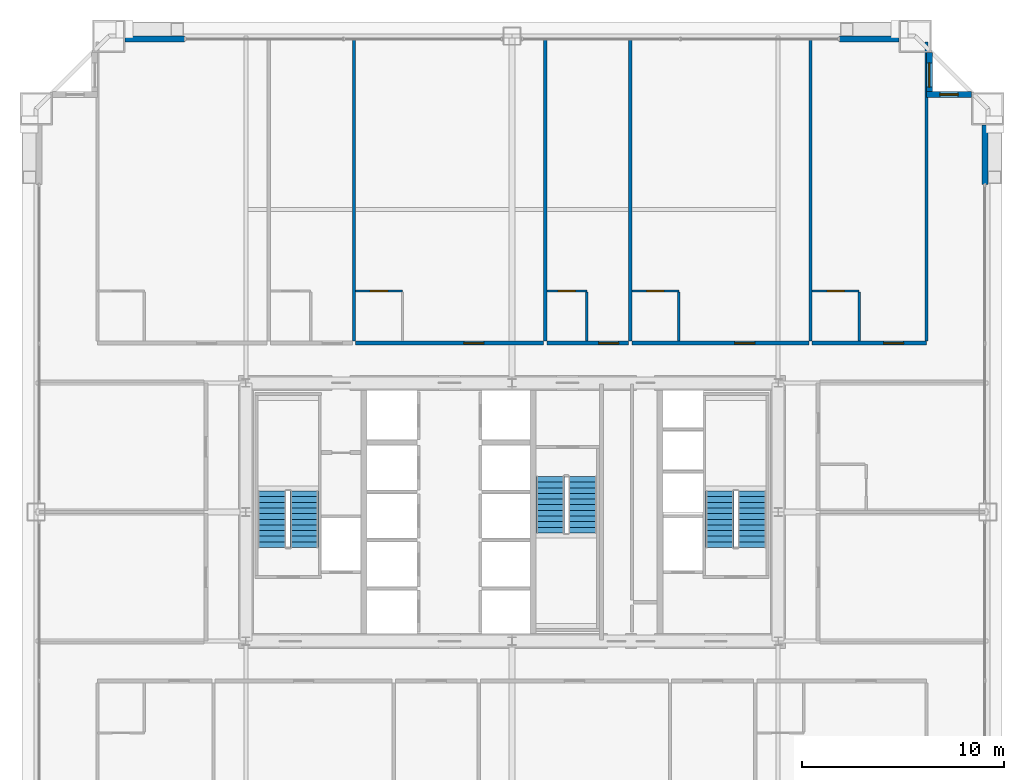
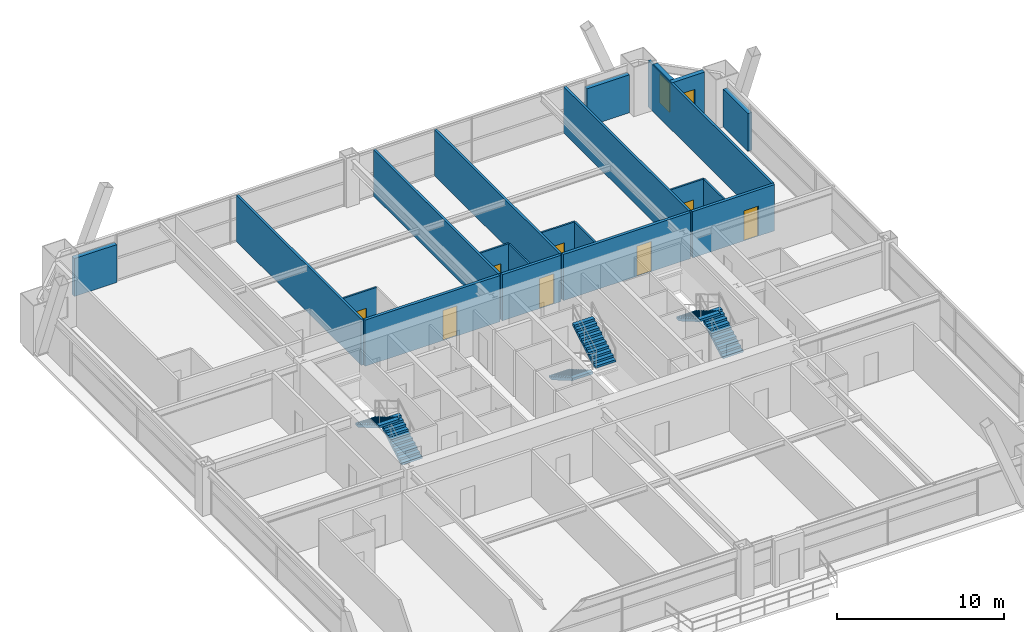
# One storey, part 40 of 41: 21 walls, 8 doors, 6 stair flights, 2 windows, 10 openings, 3 elements without a shape of their own.
"""IFC4 building model written with IfcOpenShell, lengths in metres."""

from ifc_helpers import new_model, si_unit, direction, frame, frame_2d, origin, place, context, subcontext, project, spatial, polyline, rectangle, outline, extrude, source, transform, mapped, material, layer, layer_set, type_object, element, fill, aggregate, save


model = new_model("IFC4")

# Units and contexts
model_context = context("Model", 3, precision=1e-05, world=origin(), true_north=direction((0.0, 1.0)))
body_context = subcontext(model_context, "Body", "Model", "MODEL_VIEW")
ifc_project = project(units=[si_unit("LENGTHUNIT", "METRE"), si_unit("AREAUNIT", "SQUARE_METRE"), si_unit("VOLUMEUNIT", "CUBIC_METRE"), si_unit("PLANEANGLEUNIT", "RADIAN"), si_unit("MASSUNIT", "GRAM", prefix="KILO"), si_unit("THERMODYNAMICTEMPERATUREUNIT", "KELVIN"), si_unit("POWERUNIT", "WATT")], contexts=[model_context])

# Site, building, storey
site_placement = place(None, origin())
site = spatial("IfcSite", under=ifc_project, at=site_placement, CompositionType="ELEMENT")
building_placement = place(site_placement, origin())
building = spatial("IfcBuilding", under=site, at=building_placement, Name="Yuzanri Waterfront Tower", CompositionType="ELEMENT")
storey_placement = place(building_placement, frame((0.0, 0.0, 152.39990234375)))
storey = spatial("IfcBuildingStorey", under=building, at=storey_placement, Name="L40", CompositionType="ELEMENT", Elevation=152.39990234375)

# Wall, opening, door
ifc_material_1 = material(Name="Moisture-Resistant Gypsum Stud Wall", Category="gypsum")
ifc_layer_1 = layer(ifc_material_1, 0.1201171875)
ifc_layer_set_1 = layer_set([ifc_layer_1], Name="Moisture-Resistant Gypsum Stud Wall")
wall_type_1 = type_object("IfcWallType", Name="Bathroom and Kitchen Wet Partition 120", PredefinedType="PARTITIONING", material=ifc_layer_set_1)
wall_1_placement = place(storey_placement, frame((29.239990234375, 36.760009765625, 0.0), z_axis=(0.0, 0.0, 1.0), x_axis=(1.0, 0.0, 0.0)))
wall_1 = element("IfcWall", 1, at=wall_1_placement, inside=storey, type_object=wall_type_1, Name="L40 Partition UW-L40-N3-BN", PredefinedType="PARTITIONING", context=body_context, shape_type="SweptSolid", body=[
    extrude(rectangle(XDim=2.330078125, YDim=0.1201171875, at=frame_2d((1.1650390625, 0.0))), origin(), (0.0, 0.0, 1.0), 3.380126953125),
])
opening_1_placement = place(wall_1_placement, frame((0.739990234375, 0.0, 0.0)))
opening_1 = element("IfcOpeningElement", 2, at=opening_1_placement, cuts=wall_1, Name="Opening ID-0850", PredefinedType="OPENING", context=body_context, shape_type="SweptSolid", body=[
    extrude(rectangle(XDim=0.85009765625, YDim=2.10009765625, at=frame_2d((0.425048828125, 1.050048828125))), frame((0.0, 0.074951171875, 0.0), z_axis=(0.0, -1.0, 0.0), x_axis=(1.0, 0.0, 0.0)), (0.0, 0.0, 1.0), 0.14990234375),
])
ifc_material_2 = material(Name="Moisture-Resistant Lacquered Timber", Category="wood")
door_type_1 = type_object("IfcDoorType", Name="En-Suite Bathroom and Kitchen Swing Door 850x2100", OperationType="NOTDEFINED", PredefinedType="DOOR", material=ifc_material_2)
shared_shape_1 = source(origin(), body_context, "Body", "SweptSolid", [
    extrude(rectangle(XDim=0.85009765625, YDim=2.10009765625, at=frame_2d((0.425048828125, 1.050048828125))), frame((0.0, 0.02490234375, 0.0), z_axis=(0.0, -1.0, 0.0), x_axis=(1.0, 0.0, 0.0)), (0.0, 0.0, 1.0), 0.050048828125),
])
door_1_placement = place(opening_1_placement, origin())
door_1 = element("IfcDoor", 3, at=door_1_placement, inside=storey, type_object=door_type_1, Name="L40 Guest En-Suite Door", OperationType="SINGLE_SWING_LEFT", OverallHeight=2.10009765625, OverallWidth=0.85009765625, PredefinedType="DOOR", context=body_context, shape_type="MappedRepresentation", body=[
    mapped(shared_shape_1, transform((0.0, 0.0, 0.0), scale=1.0)),
])
fill(opening_1, door_1)

wall_2_placement = place(storey_placement, frame((38.72509765625, 36.760009765625, 0.0), z_axis=(0.0, 0.0, 1.0), x_axis=(1.0, 0.0, 0.0)))
wall_2 = element("IfcWall", 4, at=wall_2_placement, inside=storey, type_object=wall_type_1, Name="L40 Partition UW-L40-N4-BN", PredefinedType="PARTITIONING", context=body_context, shape_type="SweptSolid", body=[
    extrude(rectangle(XDim=1.990966796875, YDim=0.1201171875, at=frame_2d((0.99560546875, 0.0))), origin(), (0.0, 0.0, 1.0), 3.380126953125),
])
opening_2_placement = place(wall_2_placement, frame((0.570556640625, 0.0, 0.0)))
opening_2 = element("IfcOpeningElement", 5, at=opening_2_placement, cuts=wall_2, Name="Opening ID-0850", PredefinedType="OPENING", context=body_context, shape_type="SweptSolid", body=[
    extrude(rectangle(XDim=0.85009765625, YDim=2.10009765625, at=frame_2d((0.425048828125, 1.050048828125))), frame((0.0, 0.074951171875, 0.0), z_axis=(0.0, -1.0, 0.0), x_axis=(1.0, 0.0, 0.0)), (0.0, 0.0, 1.0), 0.14990234375),
])
door_2_placement = place(opening_2_placement, origin())
door_2 = element("IfcDoor", 6, at=door_2_placement, inside=storey, type_object=door_type_1, Name="L40 Guest En-Suite Door", OperationType="SINGLE_SWING_LEFT", OverallHeight=2.10009765625, OverallWidth=0.85009765625, PredefinedType="DOOR", context=body_context, shape_type="MappedRepresentation", body=[
    mapped(shared_shape_1, transform((0.0, 0.0, 0.0), scale=1.0)),
])
fill(opening_2, door_2)

wall_3_placement = place(storey_placement, frame((42.946044921875, 36.760009765625, 0.0), z_axis=(0.0, 0.0, 1.0), x_axis=(1.0, 0.0, 0.0)))
wall_3 = element("IfcWall", 7, at=wall_3_placement, inside=storey, type_object=wall_type_1, Name="L40 Partition UW-L40-N5-BN", PredefinedType="PARTITIONING", context=body_context, shape_type="SweptSolid", body=[
    extrude(rectangle(XDim=2.329833984375, YDim=0.1201171875, at=frame_2d((1.1650390625, 0.0))), origin(), (0.0, 0.0, 1.0), 3.380126953125),
])
opening_3_placement = place(wall_3_placement, frame((0.739990234375, 0.0, 0.0)))
opening_3 = element("IfcOpeningElement", 8, at=opening_3_placement, cuts=wall_3, Name="Opening ID-0850", PredefinedType="OPENING", context=body_context, shape_type="SweptSolid", body=[
    extrude(rectangle(XDim=0.85009765625, YDim=2.10009765625, at=frame_2d((0.425048828125, 1.050048828125))), frame((0.0, 0.074951171875, 0.0), z_axis=(0.0, -1.0, 0.0), x_axis=(1.0, 0.0, 0.0)), (0.0, 0.0, 1.0), 0.14990234375),
])
door_3_placement = place(opening_3_placement, origin())
door_3 = element("IfcDoor", 9, at=door_3_placement, inside=storey, type_object=door_type_1, Name="L40 Guest En-Suite Door", OperationType="SINGLE_SWING_LEFT", OverallHeight=2.10009765625, OverallWidth=0.85009765625, PredefinedType="DOOR", context=body_context, shape_type="MappedRepresentation", body=[
    mapped(shared_shape_1, transform((0.0, 0.0, 0.0), scale=1.0)),
])
fill(opening_3, door_3)

wall_4_placement = place(storey_placement, frame((51.883056640625, 36.760009765625, 0.0), z_axis=(0.0, 0.0, 1.0), x_axis=(1.0, 0.0, 0.0)))
wall_4 = element("IfcWall", 10, at=wall_4_placement, inside=storey, type_object=wall_type_1, Name="L40 Partition UW-L40-N6-BN", PredefinedType="PARTITIONING", context=body_context, shape_type="SweptSolid", body=[
    extrude(rectangle(XDim=2.329833984375, YDim=0.1201171875, at=frame_2d((1.1650390625, 0.0))), origin(), (0.0, 0.0, 1.0), 3.380126953125),
])
opening_4_placement = place(wall_4_placement, frame((0.739990234375, 0.0, 0.0)))
opening_4 = element("IfcOpeningElement", 11, at=opening_4_placement, cuts=wall_4, Name="Opening ID-0850", PredefinedType="OPENING", context=body_context, shape_type="SweptSolid", body=[
    extrude(rectangle(XDim=0.85009765625, YDim=2.10009765625, at=frame_2d((0.425048828125, 1.050048828125))), frame((0.0, 0.074951171875, 0.0), z_axis=(0.0, -1.0, 0.0), x_axis=(1.0, 0.0, 0.0)), (0.0, 0.0, 1.0), 0.14990234375),
])
door_4_placement = place(opening_4_placement, origin())
door_4 = element("IfcDoor", 12, at=door_4_placement, inside=storey, type_object=door_type_1, Name="L40 Guest En-Suite Door", OperationType="SINGLE_SWING_LEFT", OverallHeight=2.10009765625, OverallWidth=0.85009765625, PredefinedType="DOOR", context=body_context, shape_type="MappedRepresentation", body=[
    mapped(shared_shape_1, transform((0.0, 0.0, 0.0), scale=1.0)),
])
fill(opening_4, door_4)

# Wall, opening, window
ifc_material_3 = material(Name="Honed Chongqing Dark Basalt Stone", Category="masonry")
ifc_layer_2 = layer(ifc_material_3, 0.300048828125)
ifc_layer_set_2 = layer_set([ifc_layer_2], Name="Honed Chongqing Dark Basalt Stone")
wall_type_2 = type_object("IfcWallType", Name="Bronze Rainscreen Insulated Spandrel Portal Wall 300", PredefinedType="SOLIDWALL", material=ifc_layer_set_2)
wall_5_placement = place(storey_placement, frame((59.800048828125, 46.5, 0.0), z_axis=(0.0, 0.0, 1.0), x_axis=(-1.0, 0.0, 0.0)))
wall_5 = element("IfcWall", 13, at=wall_5_placement, inside=storey, type_object=wall_type_2, Name="L40 Notched Corner Masonry Wall NE-X", PredefinedType="SOLIDWALL", context=body_context, shape_type="SweptSolid", body=[
    extrude(rectangle(XDim=2.25, YDim=0.300048828125, at=frame_2d((1.125, 0.0))), origin(), (0.0, 0.0, 1.0), 3.380126953125),
])
opening_5_placement = place(wall_5_placement, frame((0.675048828125, 0.0, 0.85009765625)))
opening_5 = element("IfcOpeningElement", 14, at=opening_5_placement, cuts=wall_5, Name="Opening WN-05", PredefinedType="OPENING", context=body_context, shape_type="SweptSolid", body=[
    extrude(rectangle(XDim=0.89990234375, YDim=1.5, at=frame_2d((0.449951171875, 0.75))), frame((0.0, 0.1650390625, 0.0), z_axis=(0.0, -1.0, 0.0), x_axis=(1.0, 0.0, 0.0)), (0.0, 0.0, 1.0), 0.329833984375),
])
ifc_material_4 = material(Name="Double-Silver Low-E Insulated Glass", Category="glass")
window_type_1 = type_object("IfcWindowType", Name="Anodized Bronze Service and Stairwell Smoke-Vent Window 900x1500", PartitioningType="SINGLE_PANEL", PredefinedType="WINDOW", material=ifc_material_4)
shared_shape_2 = source(origin(), body_context, "Body", "SweptSolid", [
    extrude(rectangle(XDim=0.89990234375, YDim=1.5, at=frame_2d((0.449951171875, 0.75))), frame((0.0, 0.030029296875, 0.0), z_axis=(0.0, -1.0, 0.0), x_axis=(1.0, 0.0, 0.0)), (0.0, 0.0, 1.0), 0.06005859375),
])
window_1_placement = place(opening_5_placement, origin())
window_1 = element("IfcWindow", 15, at=window_1_placement, inside=storey, type_object=window_type_1, Name="L40 Notched Corner Window NE-X", OverallHeight=1.5, OverallWidth=0.89990234375, PartitioningType="SINGLE_PANEL", PredefinedType="WINDOW", context=body_context, shape_type="MappedRepresentation", body=[
    mapped(shared_shape_2, transform((0.0, 0.0, 0.0), scale=1.0)),
])
fill(opening_5, window_1)

wall_6_placement = place(storey_placement, frame((57.699951171875, 46.35009765625, 0.0), z_axis=(0.0, 0.0, 1.0), x_axis=(0.0, 1.0, 0.0)))
wall_6 = element("IfcWall", 16, at=wall_6_placement, inside=storey, type_object=wall_type_2, Name="L40 Notched Corner Masonry Wall NE-Y", PredefinedType="SOLIDWALL", context=body_context, shape_type="SweptSolid", body=[
    extrude(rectangle(XDim=2.25, YDim=0.300048828125, at=frame_2d((1.125, 0.0))), origin(), (0.0, 0.0, 1.0), 3.380126953125),
])
opening_6_placement = place(wall_6_placement, frame((0.52490234375, 0.0, 0.85009765625)))
opening_6 = element("IfcOpeningElement", 17, at=opening_6_placement, cuts=wall_6, Name="Opening WN-02", PredefinedType="OPENING", context=body_context, shape_type="SweptSolid", body=[
    extrude(rectangle(XDim=1.199951171875, YDim=2.10009765625, at=frame_2d((0.60009765625, 1.050048828125))), frame((0.0, 0.1650390625, 0.0), z_axis=(0.0, -1.0, 0.0), x_axis=(1.0, 0.0, 0.0)), (0.0, 0.0, 1.0), 0.329833984375),
])
ifc_material_5 = material(Name="Double-Silver Low-E Insulated Glass", Category="glass")
window_type_2 = type_object("IfcWindowType", Name="Anodized Bronze Notched Corner Deep-Set Slot Window 1200x2100", PartitioningType="SINGLE_PANEL", PredefinedType="WINDOW", material=ifc_material_5)
shared_shape_3 = source(origin(), body_context, "Body", "SweptSolid", [
    extrude(rectangle(XDim=1.199951171875, YDim=2.10009765625, at=frame_2d((0.60009765625, 1.050048828125))), frame((0.0, 0.030029296875, 0.0), z_axis=(0.0, -1.0, 0.0), x_axis=(1.0, 0.0, 0.0)), (0.0, 0.0, 1.0), 0.06005859375),
])
window_2_placement = place(opening_6_placement, origin())
window_2 = element("IfcWindow", 18, at=window_2_placement, inside=storey, type_object=window_type_2, Name="L40 Notched Corner Window NE-Y", OverallHeight=2.10009765625, OverallWidth=1.199951171875, PartitioningType="SINGLE_PANEL", PredefinedType="WINDOW", context=body_context, shape_type="MappedRepresentation", body=[
    mapped(shared_shape_3, transform((0.0, 0.0, 0.0), scale=1.0)),
])
fill(opening_6, window_2)

# Wall, opening, door
ifc_material_6 = material(Name="Autoclaved Aerated Concrete Blockwork", Category="masonry")
ifc_layer_3 = layer(ifc_material_6, 0.199951171875)
ifc_layer_set_3 = layer_set([ifc_layer_3], Name="Autoclaved Aerated Concrete Blockwork")
wall_type_3 = type_object("IfcWallType", Name="Corridor and Unit Party Fire Wall 200", PredefinedType="PARTITIONING", material=ifc_layer_set_3)
wall_7_placement = place(storey_placement, frame((29.239990234375, 34.179931640625, 0.0), z_axis=(0.0, 0.0, 1.0), x_axis=(1.0, 0.0, 0.0)))
wall_7 = element("IfcWall", 19, at=wall_7_placement, inside=storey, type_object=wall_type_3, Name="L40 Partition UW-L40-N3-CS", PredefinedType="PARTITIONING", context=body_context, shape_type="SweptSolid", body=[
    extrude(rectangle(XDim=9.324951171875, YDim=0.199951171875, at=frame_2d((4.66259765625, 0.0))), origin(), (0.0, 0.0, 1.0), 3.380126953125),
])
opening_7_placement = place(wall_7_placement, frame((5.367919921875, 0.0, 0.0)))
opening_7 = element("IfcOpeningElement", 20, at=opening_7_placement, cuts=wall_7, Name="Opening FD-1000", PredefinedType="OPENING", context=body_context, shape_type="SweptSolid", body=[
    extrude(rectangle(XDim=1.0, YDim=2.199951171875, at=frame_2d((0.5, 1.10009765625))), frame((0.0, 0.11474609375, 0.0), z_axis=(0.0, -1.0, 0.0), x_axis=(1.0, 0.0, 0.0)), (0.0, 0.0, 1.0), 0.229736328125),
])
ifc_material_7 = material(Name="Engineered Oak Fire-Rated Timber", Category="wood")
door_type_2 = type_object("IfcDoorType", Name="Guestroom and Apartment Entrance Fire Door 1000x2200", OperationType="NOTDEFINED", PredefinedType="DOOR", material=ifc_material_7)
shared_shape_4 = source(origin(), body_context, "Body", "SweptSolid", [
    extrude(rectangle(XDim=1.0, YDim=2.199951171875, at=frame_2d((0.5, 1.10009765625))), frame((0.0, 0.02490234375, 0.0), z_axis=(0.0, -1.0, 0.0), x_axis=(1.0, 0.0, 0.0)), (0.0, 0.0, 1.0), 0.050048828125),
])
door_5_placement = place(opening_7_placement, origin())
door_5 = element("IfcDoor", 21, at=door_5_placement, inside=storey, type_object=door_type_2, Name="L40 Deluxe Twin Junior Suite Entrance Door", OperationType="SINGLE_SWING_RIGHT", OverallHeight=2.199951171875, OverallWidth=1.0, PredefinedType="DOOR", context=body_context, shape_type="MappedRepresentation", body=[
    mapped(shared_shape_4, transform((0.0, 0.0, 0.0), scale=1.0)),
])
fill(opening_7, door_5)

wall_8_placement = place(storey_placement, frame((38.72509765625, 34.179931640625, 0.0), z_axis=(0.0, 0.0, 1.0), x_axis=(1.0, 0.0, 0.0)))
wall_8 = element("IfcWall", 22, at=wall_8_placement, inside=storey, type_object=wall_type_3, Name="L40 Partition UW-L40-N4-CS", PredefinedType="PARTITIONING", context=body_context, shape_type="SweptSolid", body=[
    extrude(rectangle(XDim=4.060791015625, YDim=0.199951171875, at=frame_2d((2.0302734375, 0.0))), origin(), (0.0, 0.0, 1.0), 3.380126953125),
])
opening_8_placement = place(wall_8_placement, frame((2.56591796875, 0.0, 0.0)))
opening_8 = element("IfcOpeningElement", 23, at=opening_8_placement, cuts=wall_8, Name="Opening FD-1000", PredefinedType="OPENING", context=body_context, shape_type="SweptSolid", body=[
    extrude(rectangle(XDim=1.0, YDim=2.199951171875, at=frame_2d((0.5, 1.10009765625))), frame((0.0, 0.11474609375, 0.0), z_axis=(0.0, -1.0, 0.0), x_axis=(1.0, 0.0, 0.0)), (0.0, 0.0, 1.0), 0.229736328125),
])
door_6_placement = place(opening_8_placement, origin())
door_6 = element("IfcDoor", 24, at=door_6_placement, inside=storey, type_object=door_type_2, Name="L40 Deluxe Twin Guest Room Entrance Door", OperationType="SINGLE_SWING_RIGHT", OverallHeight=2.199951171875, OverallWidth=1.0, PredefinedType="DOOR", context=body_context, shape_type="MappedRepresentation", body=[
    mapped(shared_shape_4, transform((0.0, 0.0, 0.0), scale=1.0)),
])
fill(opening_8, door_6)

wall_9_placement = place(storey_placement, frame((42.946044921875, 34.179931640625, 0.0), z_axis=(0.0, 0.0, 1.0), x_axis=(1.0, 0.0, 0.0)))
wall_9 = element("IfcWall", 25, at=wall_9_placement, inside=storey, type_object=wall_type_3, Name="L40 Partition UW-L40-N5-CS", PredefinedType="PARTITIONING", context=body_context, shape_type="SweptSolid", body=[
    extrude(rectangle(XDim=8.77685546875, YDim=0.199951171875, at=frame_2d((4.388427734375, 0.0))), origin(), (0.0, 0.0, 1.0), 3.380126953125),
])
opening_9_placement = place(wall_9_placement, frame((5.093017578125, 0.0, 0.0)))
opening_9 = element("IfcOpeningElement", 26, at=opening_9_placement, cuts=wall_9, Name="Opening FD-1000", PredefinedType="OPENING", context=body_context, shape_type="SweptSolid", body=[
    extrude(rectangle(XDim=1.0, YDim=2.199951171875, at=frame_2d((0.5, 1.10009765625))), frame((0.0, 0.11474609375, 0.0), z_axis=(0.0, -1.0, 0.0), x_axis=(1.0, 0.0, 0.0)), (0.0, 0.0, 1.0), 0.229736328125),
])
door_7_placement = place(opening_9_placement, origin())
door_7 = element("IfcDoor", 27, at=door_7_placement, inside=storey, type_object=door_type_2, Name="L40 Deluxe Twin Junior Suite Entrance Door", OperationType="SINGLE_SWING_RIGHT", OverallHeight=2.199951171875, OverallWidth=1.0, PredefinedType="DOOR", context=body_context, shape_type="MappedRepresentation", body=[
    mapped(shared_shape_4, transform((0.0, 0.0, 0.0), scale=1.0)),
])
fill(opening_9, door_7)

wall_10_placement = place(storey_placement, frame((51.883056640625, 34.179931640625, 0.0), z_axis=(0.0, 0.0, 1.0), x_axis=(1.0, 0.0, 0.0)))
wall_10 = element("IfcWall", 28, at=wall_10_placement, inside=storey, type_object=wall_type_3, Name="L40 Partition UW-L40-N6-CS", PredefinedType="PARTITIONING", context=body_context, shape_type="SweptSolid", body=[
    extrude(rectangle(XDim=5.677001953125, YDim=0.199951171875, at=frame_2d((2.83837890625, 0.0))), origin(), (0.0, 0.0, 1.0), 3.380126953125),
])
opening_10_placement = place(wall_10_placement, frame((3.5439453125, 0.0, 0.0)))
opening_10 = element("IfcOpeningElement", 29, at=opening_10_placement, cuts=wall_10, Name="Opening FD-1000", PredefinedType="OPENING", context=body_context, shape_type="SweptSolid", body=[
    extrude(rectangle(XDim=1.0, YDim=2.199951171875, at=frame_2d((0.5, 1.10009765625))), frame((0.0, 0.11474609375, 0.0), z_axis=(0.0, -1.0, 0.0), x_axis=(1.0, 0.0, 0.0)), (0.0, 0.0, 1.0), 0.229736328125),
])
door_8_placement = place(opening_10_placement, origin())
door_8 = element("IfcDoor", 30, at=door_8_placement, inside=storey, type_object=door_type_2, Name="L40 Deluxe Twin Junior Suite Entrance Door", OperationType="SINGLE_SWING_RIGHT", OverallHeight=2.199951171875, OverallWidth=1.0, PredefinedType="DOOR", context=body_context, shape_type="MappedRepresentation", body=[
    mapped(shared_shape_4, transform((0.0, 0.0, 0.0), scale=1.0)),
])
fill(opening_10, door_8)

# Walls
shared_shape_5 = source(origin(), body_context, "Body", "SweptSolid", [
    extrude(rectangle(XDim=2.949951171875, YDim=0.300048828125, at=frame_2d((1.47509765625, 0.0))), origin(), (0.0, 0.0, 1.0), 2.775146484375),
])
for number, where, z_axis, x_axis, name in (
    (31, (17.800048828125, 49.25, 0.0), (0.0, 0.0, 1.0), (1.0, 0.0, 0.0), "L40 N Left Braced Masonry Shoulder"),
    (32, (53.25, 49.25, 0.0), (0.0, 0.0, 1.0), (1.0, 0.0, 0.0), "L40 N Right Braced Masonry Shoulder"),
    (33, (60.449951171875, 42.050048828125, 0.0), (0.0, 0.0, 1.0), (0.0, 1.0, 0.0), "L40 E Right Braced Masonry Shoulder"),
):
    element("IfcWall", number, at=place(storey_placement, frame(where, z_axis=z_axis, x_axis=x_axis)), inside=storey, type_object=wall_type_2, Name=name, PredefinedType="SOLIDWALL", context=body_context, shape_type="MappedRepresentation", body=[
        mapped(shared_shape_5, transform((0.0, 0.0, 0.0), scale=1.0)),
    ])
shared_shape_6 = source(origin(), body_context, "Body", "SweptSolid", [
    extrude(rectangle(XDim=2.419921875, YDim=0.1201171875, at=frame_2d((1.2099609375, 0.0))), origin(), (0.0, 0.0, 1.0), 3.380126953125),
])
for number, where, z_axis, x_axis, name in (
    (34, (40.716064453125, 34.280029296875, 0.0), (0.0, 0.0, 1.0), (0.0, 1.0, 0.0), "L40-N4 En-Suite Side Wall"),
    (35, (45.27587890625, 34.280029296875, 0.0), (0.0, 0.0, 1.0), (0.0, 1.0, 0.0), "L40-N5 En-Suite Side Wall"),
    (36, (54.212890625, 34.280029296875, 0.0), (0.0, 0.0, 1.0), (0.0, 1.0, 0.0), "L40-N6 En-Suite Side Wall"),
):
    element("IfcWall", number, at=place(storey_placement, frame(where, z_axis=z_axis, x_axis=x_axis)), inside=storey, type_object=wall_type_1, Name=name, PredefinedType="PARTITIONING", context=body_context, shape_type="MappedRepresentation", body=[
        mapped(shared_shape_6, transform((0.0, 0.0, 0.0), scale=1.0)),
    ])
ifc_material_8 = material(Name="Gypsum Fireboard Acoustic Stud Wall", Category="gypsum")
ifc_layer_4 = layer(ifc_material_8, 0.159912109375)
ifc_layer_set_4 = layer_set([ifc_layer_4], Name="Gypsum Fireboard Acoustic Stud Wall")
wall_type_4 = type_object("IfcWallType", Name="Acoustic Suite Demising Partition 160", PredefinedType="PARTITIONING", material=ifc_layer_set_4)
shared_shape_7 = source(origin(), body_context, "Body", "SweptSolid", [
    extrude(rectangle(XDim=14.969970703125, YDim=0.159912109375, at=frame_2d((7.48486328125, 0.0))), origin(), (0.0, 0.0, 1.0), 3.380126953125),
])
for number, where, z_axis, x_axis, name in (
    (37, (29.159912109375, 34.280029296875, 0.0), (0.0, 0.0, 1.0), (0.0, 1.0, 0.0), "L40-N2 Party Wall"),
    (38, (38.64501953125, 34.280029296875, 0.0), (0.0, 0.0, 1.0), (0.0, 1.0, 0.0), "L40-N3 Party Wall"),
    (39, (42.865966796875, 34.280029296875, 0.0), (0.0, 0.0, 1.0), (0.0, 1.0, 0.0), "L40-N4 Party Wall"),
    (40, (51.802978515625, 34.280029296875, 0.0), (0.0, 0.0, 1.0), (0.0, 1.0, 0.0), "L40-N5 Party Wall"),
):
    element("IfcWall", number, at=place(storey_placement, frame(where, z_axis=z_axis, x_axis=x_axis)), inside=storey, type_object=wall_type_4, Name=name, PredefinedType="PARTITIONING", context=body_context, shape_type="MappedRepresentation", body=[
        mapped(shared_shape_7, transform((0.0, 0.0, 0.0), scale=1.0)),
    ])
shared_shape_8 = source(origin(), body_context, "Body", "SweptSolid", [
    extrude(rectangle(XDim=14.820068359375, YDim=0.159912109375, at=frame_2d((7.41015625, 0.0))), origin(), (0.0, 0.0, 1.0), 3.380126953125),
])
wall_11_placement = place(storey_placement, frame((57.550048828125, 34.280029296875, 0.0), z_axis=(0.0, 0.0, 1.0), x_axis=(0.0, 1.0, 0.0)))
element("IfcWall", 41, at=wall_11_placement, inside=storey, type_object=wall_type_4, Name="L40 North Band East End Wall", PredefinedType="PARTITIONING", context=body_context, shape_type="MappedRepresentation", body=[
    mapped(shared_shape_8, transform((0.0, 0.0, 0.0), scale=1.0)),
])

# Stair, stair flights
ifc_material_9 = material(Name="Concrete C40", Category="concrete")
stair_type = type_object("IfcStairType", Name="Concrete C40 Core Dogleg Exit Stair", PredefinedType="HALF_TURN_STAIR", material=ifc_material_9)
stair_1_placement = place(storey_placement, origin())
stair_1 = element("IfcStair", 42, at=stair_1_placement, inside=storey, type_object=stair_type, Name="L40 Smoke-Proof Core Stair ST-01", PredefinedType="HALF_TURN_STAIR")
ifc_material_10 = material(Name="Concrete C40", Category="concrete")
stair_flight_type = type_object("IfcStairFlightType", Name="Concrete C40 Precast Stair Flight 1380", PredefinedType="STRAIGHT", material=ifc_material_10)
shared_shape_9 = source(origin(), body_context, "Body", "SweptSolid", [
    extrude(outline(polyline([(0.0, 0.0), (0.0, 0.16357421875), (0.280029296875, 0.16357421875), (0.280029296875, 0.327392578125), (0.56005859375, 0.327392578125), (0.56005859375, 0.490966796875), (0.840087890625, 0.490966796875), (0.840087890625, 0.654541015625), (1.1201171875, 0.654541015625), (1.1201171875, 0.818115234375), (1.39990234375, 0.818115234375), (1.39990234375, 0.98193359375), (1.679931640625, 0.98193359375), (1.679931640625, 1.1455078125), (1.9599609375, 1.1455078125), (1.9599609375, 1.30908203125), (2.239990234375, 1.30908203125), (2.239990234375, 1.47265625), (2.52001953125, 1.47265625), (2.52001953125, 1.636474609375), (2.800048828125, 1.636474609375), (2.800048828125, 1.800048828125), (2.800048828125, 1.462646484375), (0.297119140625, 0.0), (0.0, 0.0)])), frame((0.0, 0.699951171875, 0.0), z_axis=(0.0, -1.0, 0.0), x_axis=(1.0, 0.0, 0.0)), (0.0, 0.0, 1.0), 1.39990234375),
])
stair_flight_1_placement = place(storey_placement, frame((26.699951171875, 24.0400390625, 0.0), z_axis=(0.0, 0.0, 1.0), x_axis=(0.0, 1.0, 0.0)))
stair_flight_1 = element("IfcStairFlight", 43, at=stair_flight_1_placement, type_object=stair_flight_type, Name="ST-01 flight 1", NumberOfRisers=11, NumberOfTreads=10, PredefinedType="STRAIGHT", RiserHeight=0.163636364, TreadLength=0.28, context=body_context, shape_type="MappedRepresentation", body=[
    mapped(shared_shape_9, transform((0.0, 0.0, 0.0), scale=1.0)),
])
stair_flight_2_placement = place(storey_placement, frame((25.10009765625, 26.840087890625, 1.800048828125), z_axis=(0.0, 0.0, 1.0), x_axis=(0.0, -1.0, 0.0)))
stair_flight_2 = element("IfcStairFlight", 44, at=stair_flight_2_placement, type_object=stair_flight_type, Name="ST-01 flight 2", NumberOfRisers=11, NumberOfTreads=10, PredefinedType="STRAIGHT", RiserHeight=0.163636364, TreadLength=0.28, context=body_context, shape_type="MappedRepresentation", body=[
    mapped(shared_shape_9, transform((0.0, 0.0, 0.0), scale=1.0)),
])
aggregate(stair_1, [stair_flight_1, stair_flight_2])

stair_2_placement = place(storey_placement, origin())
stair_2 = element("IfcStair", 45, at=stair_2_placement, inside=storey, type_object=stair_type, Name="L40 Smoke-Proof Core Stair ST-02", PredefinedType="HALF_TURN_STAIR")
stair_flight_3_placement = place(storey_placement, frame((48.89990234375, 24.0400390625, 0.0), z_axis=(0.0, 0.0, 1.0), x_axis=(0.0, 1.0, 0.0)))
stair_flight_3 = element("IfcStairFlight", 46, at=stair_flight_3_placement, type_object=stair_flight_type, Name="ST-02 flight 1", NumberOfRisers=11, NumberOfTreads=10, PredefinedType="STRAIGHT", RiserHeight=0.163636364, TreadLength=0.28, context=body_context, shape_type="MappedRepresentation", body=[
    mapped(shared_shape_9, transform((0.0, 0.0, 0.0), scale=1.0)),
])
stair_flight_4_placement = place(storey_placement, frame((47.300048828125, 26.840087890625, 1.800048828125), z_axis=(0.0, 0.0, 1.0), x_axis=(0.0, -1.0, 0.0)))
stair_flight_4 = element("IfcStairFlight", 47, at=stair_flight_4_placement, type_object=stair_flight_type, Name="ST-02 flight 2", NumberOfRisers=11, NumberOfTreads=10, PredefinedType="STRAIGHT", RiserHeight=0.163636364, TreadLength=0.28, context=body_context, shape_type="MappedRepresentation", body=[
    mapped(shared_shape_9, transform((0.0, 0.0, 0.0), scale=1.0)),
])
aggregate(stair_2, [stair_flight_3, stair_flight_4])

stair_3_placement = place(storey_placement, origin())
stair_3 = element("IfcStair", 48, at=stair_3_placement, inside=storey, type_object=stair_type, Name="L40 Smoke-Proof Core Stair ST-03", PredefinedType="HALF_TURN_STAIR")
stair_flight_5_placement = place(storey_placement, frame((38.89990234375, 27.56005859375, 0.0), z_axis=(0.0, 0.0, 1.0), x_axis=(0.0, -1.0, 0.0)))
stair_flight_5 = element("IfcStairFlight", 49, at=stair_flight_5_placement, type_object=stair_flight_type, Name="ST-03 flight 1", NumberOfRisers=11, NumberOfTreads=10, PredefinedType="STRAIGHT", RiserHeight=0.163636364, TreadLength=0.28, context=body_context, shape_type="MappedRepresentation", body=[
    mapped(shared_shape_9, transform((0.0, 0.0, 0.0), scale=1.0)),
])
stair_flight_6_placement = place(storey_placement, frame((40.5, 24.760009765625, 1.800048828125), z_axis=(0.0, 0.0, 1.0), x_axis=(0.0, 1.0, 0.0)))
stair_flight_6 = element("IfcStairFlight", 50, at=stair_flight_6_placement, type_object=stair_flight_type, Name="ST-03 flight 2", NumberOfRisers=11, NumberOfTreads=10, PredefinedType="STRAIGHT", RiserHeight=0.163636364, TreadLength=0.28, context=body_context, shape_type="MappedRepresentation", body=[
    mapped(shared_shape_9, transform((0.0, 0.0, 0.0), scale=1.0)),
])
aggregate(stair_3, [stair_flight_5, stair_flight_6])

save(model, "model.ifc")
